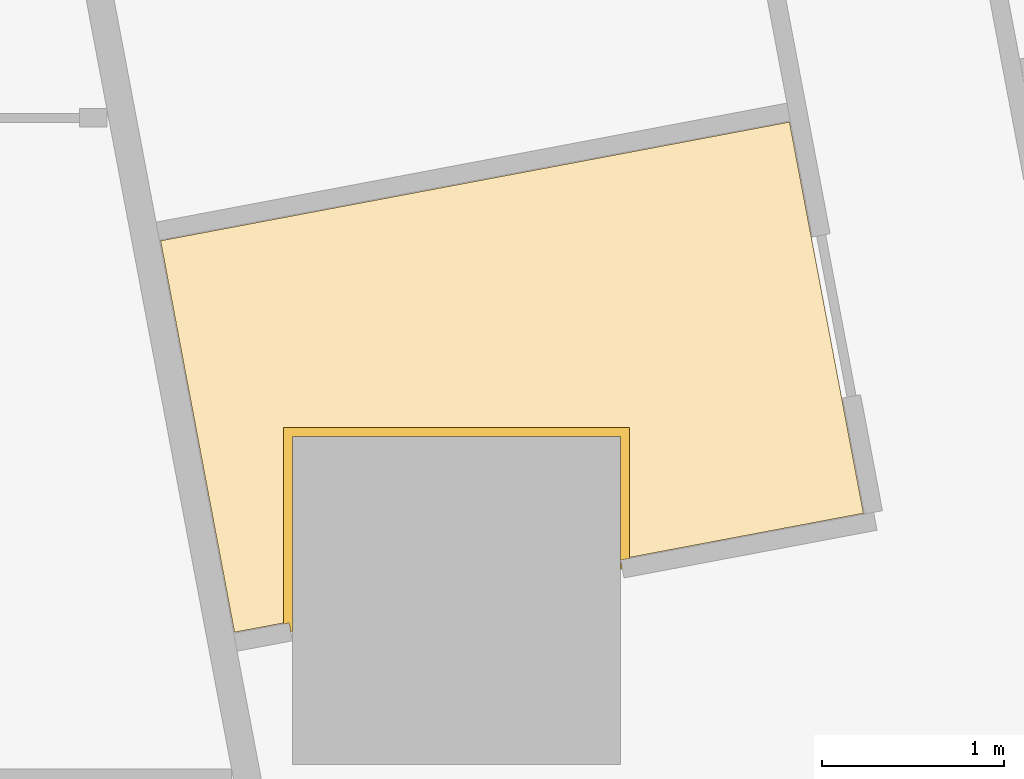
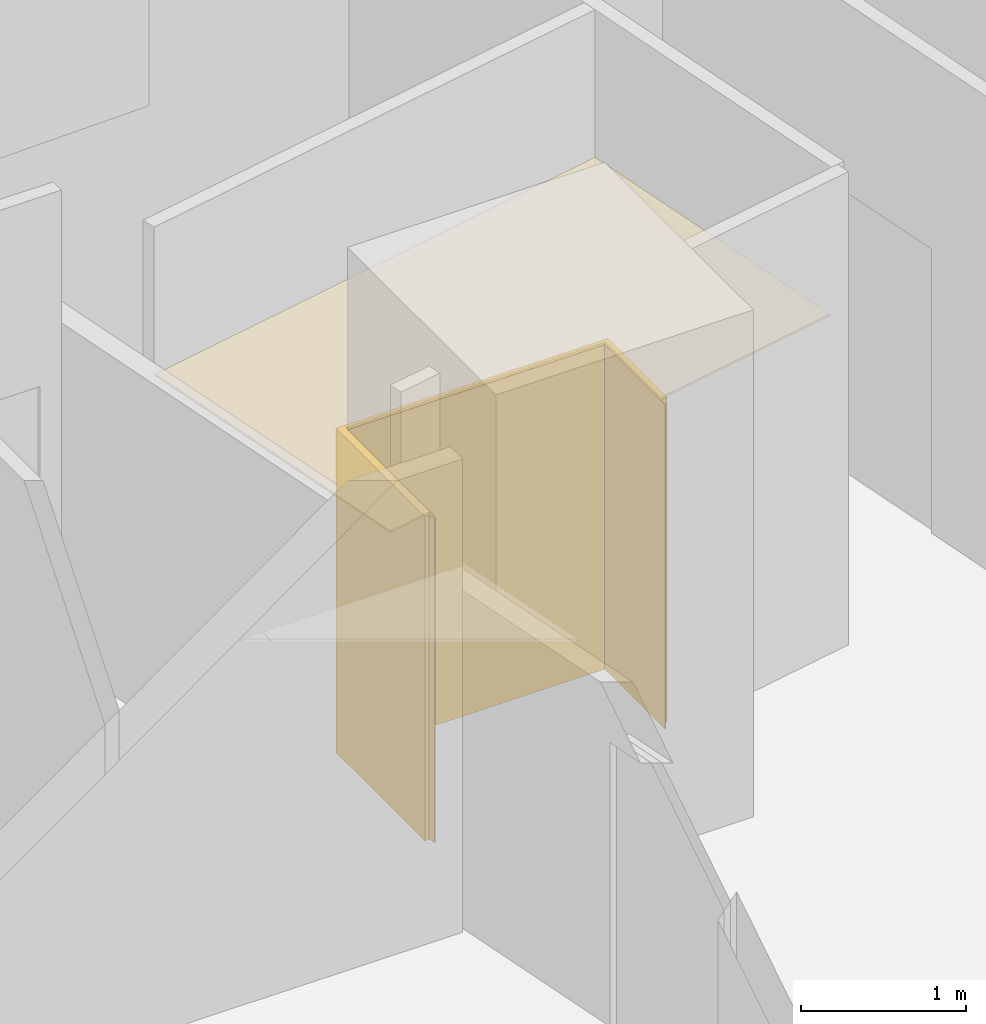
# One storey, part 17 of 17: 2 coverings.
"""IFC4 building model written with IfcOpenShell, lengths in metres."""

import ifcopenshell
import ifcopenshell.guid

model = None  # the IFC model being written
_history = None  # IfcOwnerHistory: only IFC2X3 demands one
_inside = {}  # id of a spatial element -> (the spatial element, [elements in it])
_under = {}  # id of a project, library or spatial element -> (it, [spatial elements below it])
_declared = {}  # id of a project -> (the project, [libraries it declares])
_typed = {}  # id of a type object -> (the type object, [elements of that type])
_made_of = {}  # id of a material, layer set ... -> (it, [elements and type objects made of it])


def new_model(schema):
    """Start an empty IFC model of exactly this schema.

    Asked for "IFC4X3", IfcOpenShell would pick the latest addendum, in which some entities
    have other attributes; the version numbers below select the first issue.
    IFC2X3 requires an IfcOwnerHistory on every rooted entity: one is made here for all.
    """
    global model, _history
    if schema == "IFC4X3":
        model = ifcopenshell.file(schema_version=(4, 3, 0, 0))
    else:
        model = ifcopenshell.file(schema=schema)
    _inside.clear()
    _under.clear()
    _declared.clear()
    _typed.clear()
    _made_of.clear()
    _history = None
    if model.schema == "IFC2X3":
        org = make("IfcOrganization", Name="unknown")
        user = make(
            "IfcPersonAndOrganization",
            ThePerson=make("IfcPerson", FamilyName="unknown"),
            TheOrganization=org,
        )
        app = make(
            "IfcApplication",
            ApplicationDeveloper=org,
            Version="unknown",
            ApplicationFullName="unknown",
            ApplicationIdentifier="unknown",
        )
        _history = make(
            "IfcOwnerHistory",
            OwningUser=user,
            OwningApplication=app,
            ChangeAction="ADDED",
            CreationDate=0,
        )
    return model


def make(cls, **values):
    """One entity of the class cls with the attributes given. An attribute that is None is left unset."""
    return model.create_entity(
        cls, **{name: value for name, value in values.items() if value is not None}
    )


def rooted(cls, **values):
    """An entity with a GlobalId (a new one), such as an element, a storey or a relation."""
    return make(cls, GlobalId=ifcopenshell.guid.new(), OwnerHistory=_history, **values)


def si_unit(unit_type, name, prefix=None):
    """IfcSIUnit, for example si_unit("LENGTHUNIT", "METRE", prefix="MILLI")."""
    return make("IfcSIUnit", UnitType=unit_type, Prefix=prefix, Name=name)


def assignment(units):
    """IfcUnitAssignment: the units of a project."""
    return None if units is None else make("IfcUnitAssignment", Units=units)


def point(xyz):
    """IfcCartesianPoint."""
    return None if xyz is None else make("IfcCartesianPoint", Coordinates=xyz)


def direction(xyz):
    """IfcDirection."""
    return None if xyz is None else make("IfcDirection", DirectionRatios=xyz)


def frame(location, z_axis=None, x_axis=None):
    """IfcAxis2Placement3D, a coordinate frame: its origin and axes. An axis left out is left unset."""
    return make(
        "IfcAxis2Placement3D",
        Location=point(location),
        Axis=direction(z_axis),
        RefDirection=direction(x_axis),
    )


def origin():
    """The frame at (0, 0, 0) with its axes left unset."""
    return frame((0.0, 0.0, 0.0))


def place(relative_to, where):
    """IfcLocalPlacement: puts the frame where relative to a parent placement (None: the world)."""
    return make(
        "IfcLocalPlacement", PlacementRelTo=relative_to, RelativePlacement=where
    )


def context(
    kind, dimensions, precision=None, world=None, true_north=None, identifier=None
):
    """IfcGeometricRepresentationContext, for example the 3D "Model" context."""
    return make(
        "IfcGeometricRepresentationContext",
        ContextIdentifier=identifier,
        ContextType=kind,
        CoordinateSpaceDimension=dimensions,
        Precision=precision,
        WorldCoordinateSystem=world,
        TrueNorth=true_north,
    )


def subcontext(parent, identifier, kind, view, scale=None):
    """IfcGeometricRepresentationSubContext, for example "Body" below "Model"."""
    return make(
        "IfcGeometricRepresentationSubContext",
        ContextIdentifier=identifier,
        ContextType=kind,
        ParentContext=parent,
        TargetScale=scale,
        TargetView=view,
    )


def project(units=None, contexts=None):
    """IfcProject with its units and contexts."""
    return rooted(
        "IfcProject",
        Name="project",
        RepresentationContexts=contexts,
        UnitsInContext=assignment(units),
    )


def spatial(cls, under=None, at=None, **own):
    """A site, building, storey or space (cls), placed at a placement, below another one or the project."""
    s = rooted(cls, ObjectPlacement=at, **own)
    if under is not None:
        _under.setdefault(under.id(), (under, []))[1].append(s)
    return s


def polyline(points):
    """IfcPolyline through the points."""
    return make("IfcPolyline", Points=[point(p) for p in points])


def outline(outer, holes=None, kind="AREA"):
    """IfcArbitraryClosedProfileDef: a profile drawn as a closed curve; with holes, ...WithVoids."""
    if holes is None:
        return make("IfcArbitraryClosedProfileDef", ProfileType=kind, OuterCurve=outer)
    return make(
        "IfcArbitraryProfileDefWithVoids",
        ProfileType=kind,
        OuterCurve=outer,
        InnerCurves=holes,
    )


def extrude(swept, where, along, depth):
    """IfcExtrudedAreaSolid: the profile swept, set in the frame where, extruded along a direction by depth."""
    return make(
        "IfcExtrudedAreaSolid",
        SweptArea=swept,
        Position=where,
        ExtrudedDirection=direction(along),
        Depth=depth,
    )


def shape(context_of_items, identifier, shape_type, items):
    """IfcShapeRepresentation: the items that make up one representation, for example the "Body"."""
    return make(
        "IfcShapeRepresentation",
        ContextOfItems=context_of_items,
        RepresentationIdentifier=identifier,
        RepresentationType=shape_type,
        Items=items,
    )


def material(Name=None, Category=None):
    """IfcMaterial."""
    return make("IfcMaterial", Name=Name, Category=Category)


def layer(
    of_material, thickness, ventilated=None, Name=None, Category=None, Priority=None
):
    """IfcMaterialLayer: one layer of a wall or slab, of a material (None: an air gap)."""
    return make(
        "IfcMaterialLayer",
        Material=of_material,
        LayerThickness=thickness,
        IsVentilated=ventilated,
        Name=Name,
        Category=Category,
        Priority=Priority,
    )


def layer_set(layers, Name=None):
    """IfcMaterialLayerSet."""
    return make("IfcMaterialLayerSet", MaterialLayers=layers, LayerSetName=Name)


def made_of(thing, what):
    """Note that an element or type object is made of a material, layer set ...; save() writes the relation."""
    if what is not None:
        _made_of.setdefault(what.id(), (what, []))[1].append(thing)
    return thing


def type_object(cls, material=None, **own):
    """A type object (cls), such as IfcWallType, which elements share."""
    return made_of(rooted(cls, **own), material)


def element(
    cls,
    number,
    at=None,
    inside=None,
    cuts=None,
    type_object=None,
    material=None,
    context=None,
    identifier="Body",
    shape_type=None,
    held_by="IfcProductDefinitionShape",
    body=None,
    shapes=None,
    **own,
):
    """One element of the class cls, such as IfcWall. Its Tag is "e" and its number.

    at: its placement. inside: the storey or other place that contains it. cuts: it is an
    opening in that element (IfcRelVoidsElement). A single representation is given by context,
    identifier, shape_type and body (its items); several are given by shapes. held_by: the class
    of the entity that holds the representations. save() writes the other relations.
    """
    e = rooted(cls, Tag="e%d" % number, ObjectPlacement=at, **own)
    if body is not None:
        shapes = [shape(context, identifier, shape_type, body)]
    if shapes is not None:
        e.Representation = make(held_by, Representations=shapes)
    if inside is not None:
        _inside.setdefault(inside.id(), (inside, []))[1].append(e)
    if cuts is not None:
        rooted(
            "IfcRelVoidsElement", RelatingBuildingElement=cuts, RelatedOpeningElement=e
        )
    if type_object is not None:
        _typed.setdefault(type_object.id(), (type_object, []))[1].append(e)
    return made_of(e, material)


def aggregate(whole, parts):
    """IfcRelAggregates: a whole, such as a stair, and the parts it consists of."""
    return rooted("IfcRelAggregates", RelatingObject=whole, RelatedObjects=parts)


def save(model, path):
    """Write the relations noted so far, then the file.

    IfcRelAggregates (storeys below a building ...), IfcRelContainedInSpatialStructure (elements
    in a storey), IfcRelDefinesByType, IfcRelAssociatesMaterial and IfcRelDeclares: one each for
    every whole, place, type object, material and project.
    """
    for whole, parts in _under.values():
        aggregate(whole, parts)
    for where, things in _inside.values():
        rooted(
            "IfcRelContainedInSpatialStructure",
            RelatedElements=things,
            RelatingStructure=where,
        )
    for kind, things in _typed.values():
        rooted("IfcRelDefinesByType", RelatedObjects=things, RelatingType=kind)
    for what, things in _made_of.values():
        rooted("IfcRelAssociatesMaterial", RelatedObjects=things, RelatingMaterial=what)
    for by, libraries in _declared.values():
        rooted("IfcRelDeclares", RelatingContext=by, RelatedDefinitions=libraries)
    model.write(path)


model = new_model("IFC4")

# Units and contexts
model_context = context("Model", 3, precision=1e-05, world=origin(), true_north=direction((0.0, 1.0)))
body_context = subcontext(model_context, "Body", "Model", "MODEL_VIEW")
ifc_project = project(units=[si_unit("LENGTHUNIT", "METRE"), si_unit("AREAUNIT", "SQUARE_METRE"), si_unit("VOLUMEUNIT", "CUBIC_METRE"), si_unit("PLANEANGLEUNIT", "RADIAN"), si_unit("MASSUNIT", "GRAM", prefix="KILO")], contexts=[model_context])

# Site, building, storey
site_placement = place(None, origin())
site = spatial("IfcSite", under=ifc_project, at=site_placement, CompositionType="ELEMENT")
building_placement = place(site_placement, origin())
building = spatial("IfcBuilding", under=site, at=building_placement, Name="Sheger Commons Tower", CompositionType="ELEMENT")
storey_placement = place(building_placement, frame((0.0, 0.0, 27.5)))
storey = spatial("IfcBuildingStorey", under=building, at=storey_placement, Name="L06", CompositionType="ELEMENT", Elevation=27.5)

# Coverings
ifc_material_1 = material(Name="Moisture-resistant gypsum plasterboard 15 mm on a suspended galvanised steel grid", Category="steel")
ifc_layer_1 = layer(ifc_material_1, 0.014892578125)
ifc_layer_set_1 = layer_set([ifc_layer_1], Name="MOISTURE-RESISTANT CEILING 15")
covering_type_1 = type_object("IfcCoveringType", Name="MOISTURE-RESISTANT CEILING 15", PredefinedType="CEILING", material=ifc_layer_set_1)
covering_1_placement = place(storey_placement, frame((0.0, 0.0, 2.39990234375)))
element("IfcCovering", 1, at=covering_1_placement, inside=storey, type_object=covering_type_1, Name="L06-09.B1 ceiling", PredefinedType="CEILING", context=body_context, shape_type="SweptSolid", body=[
    extrude(outline(polyline([(34.781005859375, 37.325927734375), (35.0849609375, 37.383056640625), (35.093017578125, 37.340087890625), (35.094970703125, 37.340087890625), (35.094970703125, 38.405029296875), (36.905029296875, 38.405029296875), (36.905029296875, 37.72802734375), (38.23388671875, 37.97900390625), (37.827880859375, 40.126953125), (34.375, 39.47509765625), (34.781005859375, 37.325927734375)])), origin(), (0.0, 0.0, 1.0), 0.01513671875),
])
ifc_material_2 = material(Name="Moisture-resistant gypsum board 12.5 mm on 25 mm treated timber battens, tanked and tiled", Category="wood")
ifc_layer_2 = layer(ifc_material_2, 0.050048828125)
ifc_layer_set_2 = layer_set([ifc_layer_2], Name="WET-ROOM COLUMN LINING")
covering_type_2 = type_object("IfcCoveringType", Name="WET-ROOM COLUMN LINING", PredefinedType="CLADDING", material=ifc_layer_set_2)
covering_2_placement = place(storey_placement, origin())
element("IfcCovering", 2, at=covering_2_placement, inside=storey, type_object=covering_type_2, Name="Bathroom column lining C8 L06", PredefinedType="CLADDING", context=body_context, shape_type="SweptSolid", body=[
    extrude(outline(polyline([(36.949951171875, 38.449951171875), (36.949951171875, 37.73095703125), (36.90087890625, 37.721923828125), (36.909912109375, 37.673095703125), (36.89990234375, 37.6708984375), (36.89990234375, 38.39990234375), (35.10009765625, 38.39990234375), (35.10009765625, 37.330078125), (35.090087890625, 37.327880859375), (35.0810546875, 37.376953125), (35.050048828125, 37.37109375), (35.050048828125, 38.449951171875), (36.949951171875, 38.449951171875)])), origin(), (0.0, 0.0, 1.0), 2.39990234375),
])

save(model, "model.ifc")
